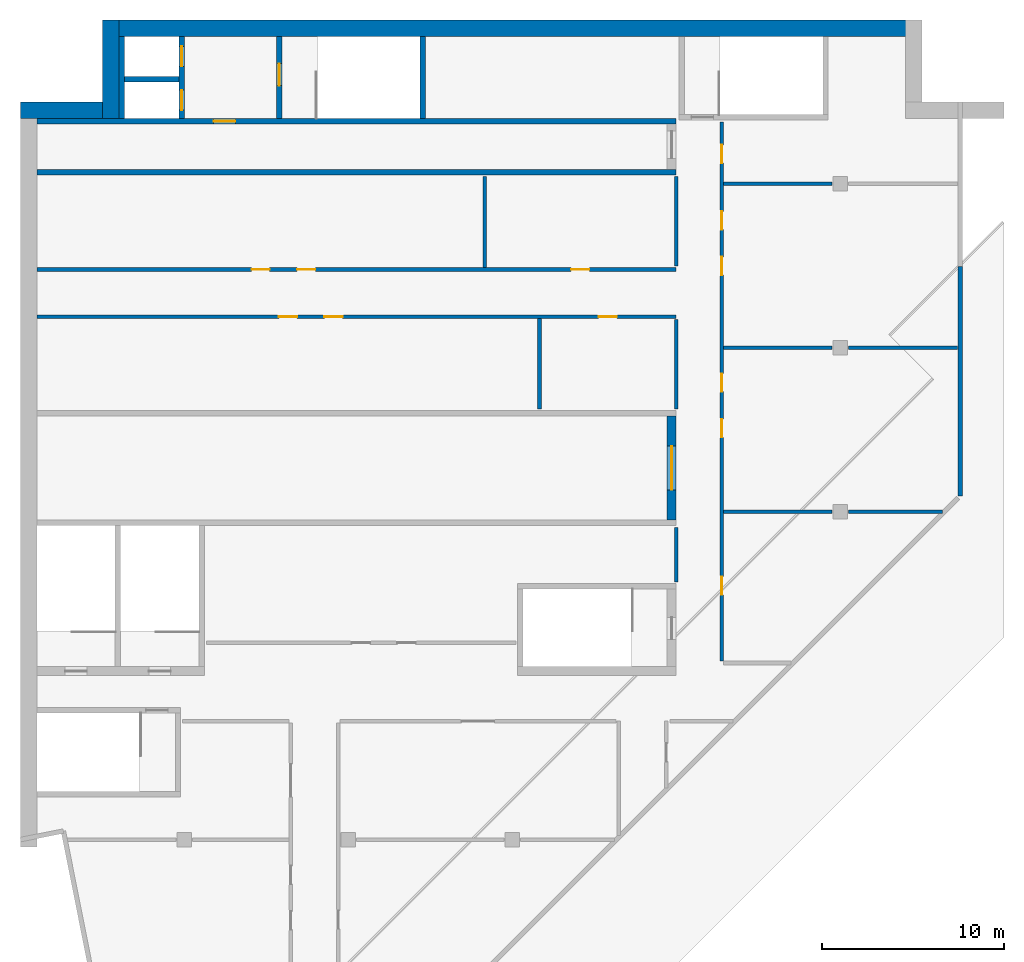
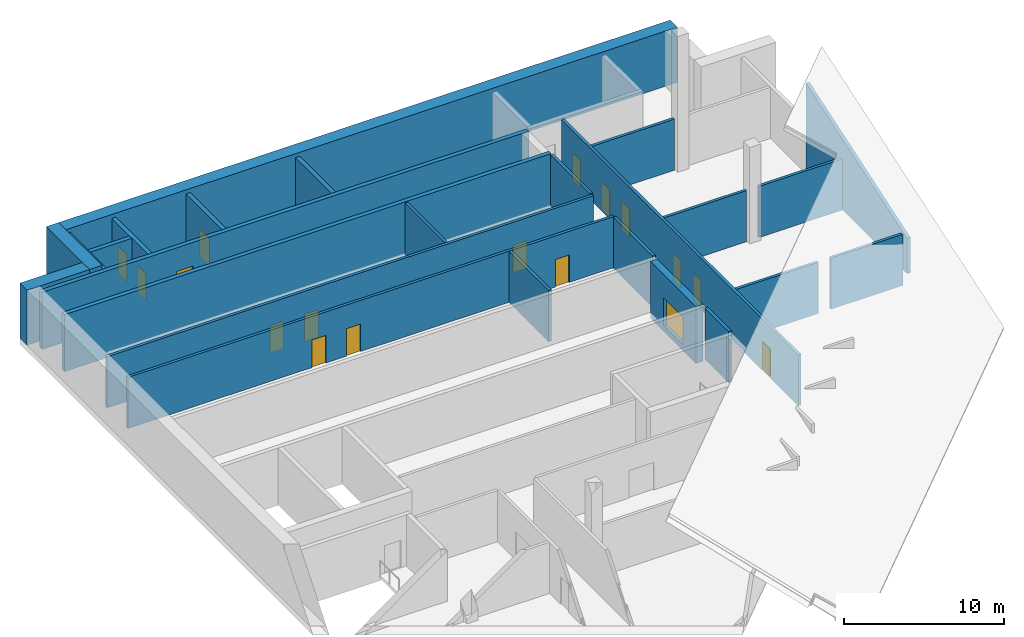
# One storey, part 3 of 5: 25 walls, 17 doors, 17 openings.
"""IFC4 building model written with IfcOpenShell, lengths in metres."""

from ifc_helpers import new_model, si_unit, direction, frame, frame_2d, origin, place, context, subcontext, project, spatial, polyline, rectangle, outline, extrude, material, layer, layer_set, type_object, element, fill, save


model = new_model("IFC4")

# Units and contexts
model_context = context("Model", 3, precision=1e-05, world=origin(), true_north=direction((0.0, 1.0)))
body_context = subcontext(model_context, "Body", "Model", "MODEL_VIEW")
ifc_project = project(units=[si_unit("LENGTHUNIT", "METRE"), si_unit("AREAUNIT", "SQUARE_METRE"), si_unit("VOLUMEUNIT", "CUBIC_METRE"), si_unit("PLANEANGLEUNIT", "RADIAN"), si_unit("MASSUNIT", "GRAM", prefix="KILO")], contexts=[model_context])

# Site, building, storey
site_placement = place(None, origin())
site = spatial("IfcSite", under=ifc_project, at=site_placement, CompositionType="ELEMENT")
building_placement = place(site_placement, origin())
building = spatial("IfcBuilding", under=site, at=building_placement, Name="Hunhe Ridgeline Campus", CompositionType="ELEMENT")
storey_placement = place(building_placement, frame((0.0, 0.0, 307.199951171875)))
storey = spatial("IfcBuildingStorey", under=building, at=storey_placement, Name="L79 Crown", CompositionType="ELEMENT", Elevation=307.199951171875)

# Wall, opening, door
ifc_material_1 = material(Name="Concrete C50", Category="concrete")
ifc_layer_1 = layer(ifc_material_1, 0.5)
ifc_layer_set_1 = layer_set([ifc_layer_1], Name="Core wall 500 reinforced concrete C50")
wall_type_1 = type_object("IfcWallType", Name="Core wall 500 reinforced concrete C50", PredefinedType="SOLIDWALL", material=ifc_layer_set_1)
wall_1_placement = place(storey_placement, frame((35.75, 71.550048828125, -0.449951171875), z_axis=(0.0, 0.0, 1.0), x_axis=(0.0, 1.0, 0.0)))
wall_1 = element("IfcWall", 1, at=wall_1_placement, inside=storey, type_object=wall_type_1, Name="L79 Crown core wall 21", PredefinedType="SOLIDWALL", context=body_context, shape_type="SweptSolid", body=[
    extrude(rectangle(XDim=5.699951171875, YDim=0.5, at=frame_2d((2.85009765625, 0.0))), origin(), (0.0, 0.0, 1.0), 4.35009765625),
])
opening_1_placement = place(wall_1_placement, frame((1.64990234375, 0.0, 0.449951171875)))
opening_1 = element("IfcOpeningElement", 2, at=opening_1_placement, cuts=wall_1, Name="Opening CD4", PredefinedType="OPENING", context=body_context, shape_type="SweptSolid", body=[
    extrude(rectangle(XDim=2.39990234375, YDim=2.10009765625, at=frame_2d((1.199951171875, 1.050048828125))), frame((0.0, 0.25, 0.0), z_axis=(0.0, -1.0, 0.0), x_axis=(1.0, 0.0, 0.0)), (0.0, 0.0, 1.0), 0.5),
])
ifc_material_2 = material(Name="Anodised aluminium and glass", Category="aluminium")
door_type_1 = type_object("IfcDoorType", Name="Glazed double door 2400x2100", OperationType="DOUBLE_DOOR_SINGLE_SWING", PredefinedType="DOOR", material=ifc_material_2)
door_1_placement = place(opening_1_placement, frame((2.39990234375, 0.0, 0.0), z_axis=(0.0, 0.0, 1.0), x_axis=(-1.0, 0.0, 0.0)))
door_1 = element("IfcDoor", 3, at=door_1_placement, inside=storey, type_object=door_type_1, Name="L79 Crown door HALL-FLOOR", OperationType="DOUBLE_DOOR_SINGLE_SWING", OverallHeight=2.10009765625, OverallWidth=2.39990234375, PredefinedType="DOOR", context=body_context, shape_type="SweptSolid", body=[
    extrude(rectangle(XDim=2.39990234375, YDim=2.10009765625, at=frame_2d((1.199951171875, 1.050048828125))), frame((0.0, 0.02490234375, 0.0), z_axis=(0.0, -1.0, 0.0), x_axis=(1.0, 0.0, 0.0)), (0.0, 0.0, 1.0), 0.050048828125),
])
fill(opening_1, door_1)

# Walls
ifc_material_3 = material(Name="Gypsum board partition")
ifc_layer_2 = layer(ifc_material_3, 0.199951171875)
ifc_layer_set_2 = layer_set([ifc_layer_2], Name="Corridor partition 200 gypsum board on steel studs")
wall_type_2 = type_object("IfcWallType", Name="Corridor partition 200 gypsum board on steel studs", PredefinedType="PARTITIONING", material=ifc_layer_set_2)
wall_2_placement = place(storey_placement, frame((38.60009765625, 72.0, 0.0), z_axis=(0.0, 0.0, 1.0), x_axis=(1.0, 0.0, 0.0)))
element("IfcWall", 4, at=wall_2_placement, inside=storey, type_object=wall_type_2, Name="F-L79 Crown-wall-013", PredefinedType="PARTITIONING", context=body_context, shape_type="SweptSolid", body=[
    extrude(rectangle(XDim=5.949951171875, YDim=0.199951171875, at=frame_2d((2.97509765625, 0.0))), origin(), (0.0, 0.0, 1.0), 3.900146484375),
])
wall_3_placement = place(storey_placement, frame((45.449951171875, 72.0, 0.0), z_axis=(0.0, 0.0, 1.0), x_axis=(1.0, 0.0, 0.0)))
element("IfcWall", 5, at=wall_3_placement, inside=storey, type_object=wall_type_2, Name="F-L79 Crown-wall-014", PredefinedType="PARTITIONING", context=body_context, shape_type="SweptSolid", body=[
    extrude(rectangle(XDim=5.166015625, YDim=0.199951171875, at=frame_2d((2.5830078125, 0.0))), origin(), (0.0, 0.0, 1.0), 3.900146484375),
])
wall_4_placement = place(storey_placement, frame((38.60009765625, 81.0, 0.0), z_axis=(0.0, 0.0, 1.0), x_axis=(1.0, 0.0, 0.0)))
element("IfcWall", 6, at=wall_4_placement, inside=storey, type_object=wall_type_2, Name="F-L79 Crown-wall-015", PredefinedType="PARTITIONING", context=body_context, shape_type="SweptSolid", body=[
    extrude(rectangle(XDim=5.949951171875, YDim=0.199951171875, at=frame_2d((2.97509765625, 0.0))), origin(), (0.0, 0.0, 1.0), 3.900146484375),
])
wall_5_placement = place(storey_placement, frame((45.449951171875, 81.0, 0.0), z_axis=(0.0, 0.0, 1.0), x_axis=(1.0, 0.0, 0.0)))
element("IfcWall", 7, at=wall_5_placement, inside=storey, type_object=wall_type_2, Name="F-L79 Crown-wall-016", PredefinedType="PARTITIONING", context=body_context, shape_type="SweptSolid", body=[
    extrude(rectangle(XDim=6.004150390625, YDim=0.199951171875, at=frame_2d((3.001953125, 0.0))), origin(), (0.0, 0.0, 1.0), 3.900146484375),
])

# Wall, openings, doors
wall_6_placement = place(storey_placement, frame((36.0, 82.699951171875, 0.0), z_axis=(0.0, 0.0, 1.0), x_axis=(-1.0, 0.0, 0.0)))
wall_6 = element("IfcWall", 8, at=wall_6_placement, inside=storey, type_object=wall_type_2, Name="F-L79 Crown-wall-017", PredefinedType="PARTITIONING", context=body_context, shape_type="SweptSolid", body=[
    extrude(rectangle(XDim=35.080078125, YDim=0.199951171875, at=frame_2d((17.5400390625, 0.0))), origin(), (0.0, 0.0, 1.0), 3.900146484375),
])
opening_2_placement = place(wall_6_placement, frame((20.808349609375, 0.0, 0.0)))
opening_2 = element("IfcOpeningElement", 9, at=opening_2_placement, cuts=wall_6, Name="Opening RD1-014", PredefinedType="OPENING", context=body_context, shape_type="SweptSolid", body=[
    extrude(rectangle(XDim=1.0, YDim=2.10009765625, at=frame_2d((0.5, 1.050048828125))), frame((0.0, 0.10009765625, 0.0), z_axis=(0.0, -1.0, 0.0), x_axis=(1.0, 0.0, 0.0)), (0.0, 0.0, 1.0), 0.199951171875),
])
opening_3_placement = place(wall_6_placement, frame((18.308349609375, 0.0, 0.0)))
opening_3 = element("IfcOpeningElement", 10, at=opening_3_placement, cuts=wall_6, Name="Opening RD1-015", PredefinedType="OPENING", context=body_context, shape_type="SweptSolid", body=[
    extrude(rectangle(XDim=1.0, YDim=2.10009765625, at=frame_2d((0.5, 1.050048828125))), frame((0.0, 0.10009765625, 0.0), z_axis=(0.0, -1.0, 0.0), x_axis=(1.0, 0.0, 0.0)), (0.0, 0.0, 1.0), 0.199951171875),
])
opening_4_placement = place(wall_6_placement, frame((3.26025390625, 0.0, 0.0)))
opening_4 = element("IfcOpeningElement", 11, at=opening_4_placement, cuts=wall_6, Name="Opening RD1-016", PredefinedType="OPENING", context=body_context, shape_type="SweptSolid", body=[
    extrude(rectangle(XDim=1.0, YDim=2.10009765625, at=frame_2d((0.5, 1.050048828125))), frame((0.0, 0.10009765625, 0.0), z_axis=(0.0, -1.0, 0.0), x_axis=(1.0, 0.0, 0.0)), (0.0, 0.0, 1.0), 0.199951171875),
])
ifc_material_4 = material(Name="Timber door leaf", Category="wood")
door_type_2 = type_object("IfcDoorType", Name="Single fire door 1000x2100 timber FD60", OperationType="NOTDEFINED", PredefinedType="DOOR", material=ifc_material_4)
door_2_placement = place(opening_2_placement, frame((1.0, 0.0, 0.0), z_axis=(0.0, 0.0, 1.0), x_axis=(-1.0, 0.0, 0.0)))
door_2 = element("IfcDoor", 12, at=door_2_placement, inside=storey, type_object=door_type_2, Name="F-L79 Crown-door-014", OperationType="SINGLE_SWING_RIGHT", OverallHeight=2.10009765625, OverallWidth=1.0, PredefinedType="DOOR", context=body_context, shape_type="SweptSolid", body=[
    extrude(rectangle(XDim=1.0, YDim=2.10009765625, at=frame_2d((0.5, 1.050048828125))), frame((0.0, 0.02490234375, 0.0), z_axis=(0.0, -1.0, 0.0), x_axis=(1.0, 0.0, 0.0)), (0.0, 0.0, 1.0), 0.050048828125),
])
fill(opening_2, door_2)
door_3_placement = place(opening_3_placement, frame((1.0, 0.0, 0.0), z_axis=(0.0, 0.0, 1.0), x_axis=(-1.0, 0.0, 0.0)))
door_3 = element("IfcDoor", 13, at=door_3_placement, inside=storey, type_object=door_type_2, Name="F-L79 Crown-door-015", OperationType="SINGLE_SWING_RIGHT", OverallHeight=2.10009765625, OverallWidth=1.0, PredefinedType="DOOR", context=body_context, shape_type="SweptSolid", body=[
    extrude(rectangle(XDim=1.0, YDim=2.10009765625, at=frame_2d((0.5, 1.050048828125))), frame((0.0, 0.02490234375, 0.0), z_axis=(0.0, -1.0, 0.0), x_axis=(1.0, 0.0, 0.0)), (0.0, 0.0, 1.0), 0.050048828125),
])
fill(opening_3, door_3)
door_4_placement = place(opening_4_placement, origin())
door_4 = element("IfcDoor", 14, at=door_4_placement, inside=storey, type_object=door_type_2, Name="F-L79 Crown-door-016", OperationType="SINGLE_SWING_LEFT", OverallHeight=2.10009765625, OverallWidth=1.0, PredefinedType="DOOR", context=body_context, shape_type="SweptSolid", body=[
    extrude(rectangle(XDim=1.0, YDim=2.10009765625, at=frame_2d((0.5, 1.050048828125))), frame((0.0, 0.02490234375, 0.0), z_axis=(0.0, -1.0, 0.0), x_axis=(1.0, 0.0, 0.0)), (0.0, 0.0, 1.0), 0.050048828125),
])
fill(opening_4, door_4)

wall_7_placement = place(storey_placement, frame((0.919921875, 85.300048828125, 0.0), z_axis=(0.0, 0.0, 1.0), x_axis=(1.0, 0.0, 0.0)))
wall_7 = element("IfcWall", 15, at=wall_7_placement, inside=storey, type_object=wall_type_2, Name="F-L79 Crown-wall-018", PredefinedType="PARTITIONING", context=body_context, shape_type="SweptSolid", body=[
    extrude(rectangle(XDim=35.080078125, YDim=0.199951171875, at=frame_2d((17.5400390625, 0.0))), origin(), (0.0, 0.0, 1.0), 3.900146484375),
])
opening_5_placement = place(wall_7_placement, frame((11.767578125, 0.0, 0.0)))
opening_5 = element("IfcOpeningElement", 16, at=opening_5_placement, cuts=wall_7, Name="Opening RD1-017", PredefinedType="OPENING", context=body_context, shape_type="SweptSolid", body=[
    extrude(rectangle(XDim=1.0, YDim=2.10009765625, at=frame_2d((0.5, 1.050048828125))), frame((0.0, 0.10009765625, 0.0), z_axis=(0.0, -1.0, 0.0), x_axis=(1.0, 0.0, 0.0)), (0.0, 0.0, 1.0), 0.199951171875),
])
opening_6_placement = place(wall_7_placement, frame((14.267578125, 0.0, 0.0)))
opening_6 = element("IfcOpeningElement", 17, at=opening_6_placement, cuts=wall_7, Name="Opening RD1-018", PredefinedType="OPENING", context=body_context, shape_type="SweptSolid", body=[
    extrude(rectangle(XDim=1.0, YDim=2.10009765625, at=frame_2d((0.5, 1.050048828125))), frame((0.0, 0.10009765625, 0.0), z_axis=(0.0, -1.0, 0.0), x_axis=(1.0, 0.0, 0.0)), (0.0, 0.0, 1.0), 0.199951171875),
])
opening_7_placement = place(wall_7_placement, frame((29.315673828125, 0.0, 0.0)))
opening_7 = element("IfcOpeningElement", 18, at=opening_7_placement, cuts=wall_7, Name="Opening RD1-019", PredefinedType="OPENING", context=body_context, shape_type="SweptSolid", body=[
    extrude(rectangle(XDim=1.0, YDim=2.10009765625, at=frame_2d((0.5, 1.050048828125))), frame((0.0, 0.10009765625, 0.0), z_axis=(0.0, -1.0, 0.0), x_axis=(1.0, 0.0, 0.0)), (0.0, 0.0, 1.0), 0.199951171875),
])
door_5_placement = place(opening_5_placement, frame((1.0, 0.0, 0.0), z_axis=(0.0, 0.0, 1.0), x_axis=(-1.0, 0.0, 0.0)))
door_5 = element("IfcDoor", 19, at=door_5_placement, inside=storey, type_object=door_type_2, Name="F-L79 Crown-door-017", OperationType="SINGLE_SWING_LEFT", OverallHeight=2.10009765625, OverallWidth=1.0, PredefinedType="DOOR", context=body_context, shape_type="SweptSolid", body=[
    extrude(rectangle(XDim=1.0, YDim=2.10009765625, at=frame_2d((0.5, 1.050048828125))), frame((0.0, 0.02490234375, 0.0), z_axis=(0.0, -1.0, 0.0), x_axis=(1.0, 0.0, 0.0)), (0.0, 0.0, 1.0), 0.050048828125),
])
fill(opening_5, door_5)
door_6_placement = place(opening_6_placement, frame((1.0, 0.0, 0.0), z_axis=(0.0, 0.0, 1.0), x_axis=(-1.0, 0.0, 0.0)))
door_6 = element("IfcDoor", 20, at=door_6_placement, inside=storey, type_object=door_type_2, Name="F-L79 Crown-door-018", OperationType="SINGLE_SWING_LEFT", OverallHeight=2.10009765625, OverallWidth=1.0, PredefinedType="DOOR", context=body_context, shape_type="SweptSolid", body=[
    extrude(rectangle(XDim=1.0, YDim=2.10009765625, at=frame_2d((0.5, 1.050048828125))), frame((0.0, 0.02490234375, 0.0), z_axis=(0.0, -1.0, 0.0), x_axis=(1.0, 0.0, 0.0)), (0.0, 0.0, 1.0), 0.050048828125),
])
fill(opening_6, door_6)
door_7_placement = place(opening_7_placement, frame((1.0, 0.0, 0.0), z_axis=(0.0, 0.0, 1.0), x_axis=(-1.0, 0.0, 0.0)))
door_7 = element("IfcDoor", 21, at=door_7_placement, inside=storey, type_object=door_type_2, Name="F-L79 Crown-door-019", OperationType="SINGLE_SWING_RIGHT", OverallHeight=2.10009765625, OverallWidth=1.0, PredefinedType="DOOR", context=body_context, shape_type="SweptSolid", body=[
    extrude(rectangle(XDim=1.0, YDim=2.10009765625, at=frame_2d((0.5, 1.050048828125))), frame((0.0, 0.02490234375, 0.0), z_axis=(0.0, -1.0, 0.0), x_axis=(1.0, 0.0, 0.0)), (0.0, 0.0, 1.0), 0.050048828125),
])
fill(opening_7, door_7)

# Walls
wall_8_placement = place(storey_placement, frame((38.60009765625, 90.0, 0.0), z_axis=(0.0, 0.0, 1.0), x_axis=(1.0, 0.0, 0.0)))
element("IfcWall", 22, at=wall_8_placement, inside=storey, type_object=wall_type_2, Name="F-L79 Crown-wall-019", PredefinedType="PARTITIONING", context=body_context, shape_type="SweptSolid", body=[
    extrude(rectangle(XDim=5.949951171875, YDim=0.199951171875, at=frame_2d((2.97509765625, 0.0))), origin(), (0.0, 0.0, 1.0), 3.900146484375),
])
wall_9_placement = place(storey_placement, frame((25.5, 90.39599609375, 0.0), z_axis=(0.0, 0.0, 1.0), x_axis=(0.0, -1.0, 0.0)))
element("IfcWall", 23, at=wall_9_placement, inside=storey, type_object=wall_type_2, Name="F-L79 Crown-wall-023", PredefinedType="PARTITIONING", context=body_context, shape_type="SweptSolid", body=[
    extrude(rectangle(XDim=4.99609375, YDim=0.199951171875, at=frame_2d((2.498046875, 0.0))), origin(), (0.0, 0.0, 1.0), 3.900146484375),
])
wall_10_placement = place(storey_placement, frame((28.5, 82.60009765625, 0.0), z_axis=(0.0, 0.0, 1.0), x_axis=(0.0, -1.0, 0.0)))
element("IfcWall", 24, at=wall_10_placement, inside=storey, type_object=wall_type_2, Name="F-L79 Crown-wall-024", PredefinedType="PARTITIONING", context=body_context, shape_type="SweptSolid", body=[
    extrude(rectangle(XDim=4.946044921875, YDim=0.199951171875, at=frame_2d((2.47314453125, 0.0))), origin(), (0.0, 0.0, 1.0), 3.900146484375),
])
wall_11_placement = place(storey_placement, frame((36.0, 68.154052734375, 0.0), z_axis=(0.0, 0.0, 1.0), x_axis=(0.0, 1.0, 0.0)))
element("IfcWall", 25, at=wall_11_placement, inside=storey, type_object=wall_type_2, Name="F-L79 Crown-wall-027", PredefinedType="PARTITIONING", context=body_context, shape_type="SweptSolid", body=[
    extrude(rectangle(XDim=2.991943359375, YDim=0.199951171875, at=frame_2d((1.49609375, 0.0))), origin(), (0.0, 0.0, 1.0), 3.900146484375),
])
wall_12_placement = place(storey_placement, frame((36.0, 77.654052734375, 0.0), z_axis=(0.0, 0.0, 1.0), x_axis=(0.0, 1.0, 0.0)))
element("IfcWall", 26, at=wall_12_placement, inside=storey, type_object=wall_type_2, Name="F-L79 Crown-wall-028", PredefinedType="PARTITIONING", context=body_context, shape_type="SweptSolid", body=[
    extrude(rectangle(XDim=4.900634765625, YDim=0.199951171875, at=frame_2d((2.4501953125, 0.0))), origin(), (0.0, 0.0, 1.0), 3.900146484375),
])
wall_13_placement = place(storey_placement, frame((36.0, 85.4951171875, 0.0), z_axis=(0.0, 0.0, 1.0), x_axis=(0.0, 1.0, 0.0)))
element("IfcWall", 27, at=wall_13_placement, inside=storey, type_object=wall_type_2, Name="F-L79 Crown-wall-029", PredefinedType="PARTITIONING", context=body_context, shape_type="SweptSolid", body=[
    extrude(rectangle(XDim=4.90087890625, YDim=0.199951171875, at=frame_2d((2.450439453125, 0.0))), origin(), (0.0, 0.0, 1.0), 3.900146484375),
])

# Wall, openings, doors
wall_14_placement = place(storey_placement, frame((38.5, 93.39599609375, 0.0), z_axis=(0.0, 0.0, 1.0), x_axis=(0.0, -1.0, 0.0)))
wall_14 = element("IfcWall", 28, at=wall_14_placement, inside=storey, type_object=wall_type_2, Name="F-L79 Crown-wall-030", PredefinedType="PARTITIONING", context=body_context, shape_type="SweptSolid", body=[
    extrude(rectangle(XDim=29.595947265625, YDim=0.199951171875, at=frame_2d((14.7978515625, 0.0))), origin(), (0.0, 0.0, 1.0), 3.900146484375),
])
opening_8_placement = place(wall_14_placement, frame((24.95751953125, 0.0, 0.0)))
opening_8 = element("IfcOpeningElement", 29, at=opening_8_placement, cuts=wall_14, Name="Opening RD1-011", PredefinedType="OPENING", context=body_context, shape_type="SweptSolid", body=[
    extrude(rectangle(XDim=1.0, YDim=2.10009765625, at=frame_2d((0.5, 1.050048828125))), frame((0.0, 0.10009765625, 0.0), z_axis=(0.0, -1.0, 0.0), x_axis=(1.0, 0.0, 0.0)), (0.0, 0.0, 1.0), 0.199951171875),
])
opening_9_placement = place(wall_14_placement, frame((16.304443359375, 0.0, 0.0)))
opening_9 = element("IfcOpeningElement", 30, at=opening_9_placement, cuts=wall_14, Name="Opening RD1-012", PredefinedType="OPENING", context=body_context, shape_type="SweptSolid", body=[
    extrude(rectangle(XDim=1.0, YDim=2.10009765625, at=frame_2d((0.5, 1.050048828125))), frame((0.0, 0.10009765625, 0.0), z_axis=(0.0, -1.0, 0.0), x_axis=(1.0, 0.0, 0.0)), (0.0, 0.0, 1.0), 0.199951171875),
])
opening_10_placement = place(wall_14_placement, frame((13.804443359375, 0.0, 0.0)))
opening_10 = element("IfcOpeningElement", 31, at=opening_10_placement, cuts=wall_14, Name="Opening RD1-013", PredefinedType="OPENING", context=body_context, shape_type="SweptSolid", body=[
    extrude(rectangle(XDim=1.0, YDim=2.10009765625, at=frame_2d((0.5, 1.050048828125))), frame((0.0, 0.10009765625, 0.0), z_axis=(0.0, -1.0, 0.0), x_axis=(1.0, 0.0, 0.0)), (0.0, 0.0, 1.0), 0.199951171875),
])
opening_11_placement = place(wall_14_placement, frame((7.400634765625, 0.0, 0.0)))
opening_11 = element("IfcOpeningElement", 32, at=opening_11_placement, cuts=wall_14, Name="Opening RD1-020", PredefinedType="OPENING", context=body_context, shape_type="SweptSolid", body=[
    extrude(rectangle(XDim=1.0, YDim=2.10009765625, at=frame_2d((0.5, 1.050048828125))), frame((0.0, 0.10009765625, 0.0), z_axis=(0.0, -1.0, 0.0), x_axis=(1.0, 0.0, 0.0)), (0.0, 0.0, 1.0), 0.199951171875),
])
opening_12_placement = place(wall_14_placement, frame((4.900634765625, 0.0, 0.0)))
opening_12 = element("IfcOpeningElement", 33, at=opening_12_placement, cuts=wall_14, Name="Opening RD1-021", PredefinedType="OPENING", context=body_context, shape_type="SweptSolid", body=[
    extrude(rectangle(XDim=1.0, YDim=2.10009765625, at=frame_2d((0.5, 1.050048828125))), frame((0.0, 0.10009765625, 0.0), z_axis=(0.0, -1.0, 0.0), x_axis=(1.0, 0.0, 0.0)), (0.0, 0.0, 1.0), 0.199951171875),
])
opening_13_placement = place(wall_14_placement, frame((1.255615234375, 0.0, 0.0)))
opening_13 = element("IfcOpeningElement", 34, at=opening_13_placement, cuts=wall_14, Name="Opening RD1-022", PredefinedType="OPENING", context=body_context, shape_type="SweptSolid", body=[
    extrude(rectangle(XDim=1.0, YDim=2.10009765625, at=frame_2d((0.5, 1.050048828125))), frame((0.0, 0.10009765625, 0.0), z_axis=(0.0, -1.0, 0.0), x_axis=(1.0, 0.0, 0.0)), (0.0, 0.0, 1.0), 0.199951171875),
])
door_8_placement = place(opening_8_placement, frame((1.0, 0.0, 0.0), z_axis=(0.0, 0.0, 1.0), x_axis=(-1.0, 0.0, 0.0)))
door_8 = element("IfcDoor", 35, at=door_8_placement, inside=storey, type_object=door_type_2, Name="F-L79 Crown-door-011", OperationType="SINGLE_SWING_LEFT", OverallHeight=2.10009765625, OverallWidth=1.0, PredefinedType="DOOR", context=body_context, shape_type="SweptSolid", body=[
    extrude(rectangle(XDim=1.0, YDim=2.10009765625, at=frame_2d((0.5, 1.050048828125))), frame((0.0, 0.02490234375, 0.0), z_axis=(0.0, -1.0, 0.0), x_axis=(1.0, 0.0, 0.0)), (0.0, 0.0, 1.0), 0.050048828125),
])
fill(opening_8, door_8)
door_9_placement = place(opening_9_placement, frame((1.0, 0.0, 0.0), z_axis=(0.0, 0.0, 1.0), x_axis=(-1.0, 0.0, 0.0)))
door_9 = element("IfcDoor", 36, at=door_9_placement, inside=storey, type_object=door_type_2, Name="F-L79 Crown-door-012", OperationType="SINGLE_SWING_RIGHT", OverallHeight=2.10009765625, OverallWidth=1.0, PredefinedType="DOOR", context=body_context, shape_type="SweptSolid", body=[
    extrude(rectangle(XDim=1.0, YDim=2.10009765625, at=frame_2d((0.5, 1.050048828125))), frame((0.0, 0.02490234375, 0.0), z_axis=(0.0, -1.0, 0.0), x_axis=(1.0, 0.0, 0.0)), (0.0, 0.0, 1.0), 0.050048828125),
])
fill(opening_9, door_9)
door_10_placement = place(opening_10_placement, frame((1.0, 0.0, 0.0), z_axis=(0.0, 0.0, 1.0), x_axis=(-1.0, 0.0, 0.0)))
door_10 = element("IfcDoor", 37, at=door_10_placement, inside=storey, type_object=door_type_2, Name="F-L79 Crown-door-013", OperationType="SINGLE_SWING_RIGHT", OverallHeight=2.10009765625, OverallWidth=1.0, PredefinedType="DOOR", context=body_context, shape_type="SweptSolid", body=[
    extrude(rectangle(XDim=1.0, YDim=2.10009765625, at=frame_2d((0.5, 1.050048828125))), frame((0.0, 0.02490234375, 0.0), z_axis=(0.0, -1.0, 0.0), x_axis=(1.0, 0.0, 0.0)), (0.0, 0.0, 1.0), 0.050048828125),
])
fill(opening_10, door_10)
door_11_placement = place(opening_11_placement, frame((1.0, 0.0, 0.0), z_axis=(0.0, 0.0, 1.0), x_axis=(-1.0, 0.0, 0.0)))
door_11 = element("IfcDoor", 38, at=door_11_placement, inside=storey, type_object=door_type_2, Name="F-L79 Crown-door-020", OperationType="SINGLE_SWING_RIGHT", OverallHeight=2.10009765625, OverallWidth=1.0, PredefinedType="DOOR", context=body_context, shape_type="SweptSolid", body=[
    extrude(rectangle(XDim=1.0, YDim=2.10009765625, at=frame_2d((0.5, 1.050048828125))), frame((0.0, 0.02490234375, 0.0), z_axis=(0.0, -1.0, 0.0), x_axis=(1.0, 0.0, 0.0)), (0.0, 0.0, 1.0), 0.050048828125),
])
fill(opening_11, door_11)
door_12_placement = place(opening_12_placement, frame((1.0, 0.0, 0.0), z_axis=(0.0, 0.0, 1.0), x_axis=(-1.0, 0.0, 0.0)))
door_12 = element("IfcDoor", 39, at=door_12_placement, inside=storey, type_object=door_type_2, Name="F-L79 Crown-door-021", OperationType="SINGLE_SWING_RIGHT", OverallHeight=2.10009765625, OverallWidth=1.0, PredefinedType="DOOR", context=body_context, shape_type="SweptSolid", body=[
    extrude(rectangle(XDim=1.0, YDim=2.10009765625, at=frame_2d((0.5, 1.050048828125))), frame((0.0, 0.02490234375, 0.0), z_axis=(0.0, -1.0, 0.0), x_axis=(1.0, 0.0, 0.0)), (0.0, 0.0, 1.0), 0.050048828125),
])
fill(opening_12, door_12)
door_13_placement = place(opening_13_placement, frame((1.0, 0.0, 0.0), z_axis=(0.0, 0.0, 1.0), x_axis=(-1.0, 0.0, 0.0)))
door_13 = element("IfcDoor", 40, at=door_13_placement, inside=storey, type_object=door_type_2, Name="F-L79 Crown-door-022", OperationType="SINGLE_SWING_RIGHT", OverallHeight=2.10009765625, OverallWidth=1.0, PredefinedType="DOOR", context=body_context, shape_type="SweptSolid", body=[
    extrude(rectangle(XDim=1.0, YDim=2.10009765625, at=frame_2d((0.5, 1.050048828125))), frame((0.0, 0.02490234375, 0.0), z_axis=(0.0, -1.0, 0.0), x_axis=(1.0, 0.0, 0.0)), (0.0, 0.0, 1.0), 0.050048828125),
])
fill(opening_13, door_13)

# Walls
ifc_layer_3 = layer(ifc_material_1, 0.25)
ifc_layer_set_3 = layer_set([ifc_layer_3], Name="Crown cladding wall 250 Concrete C50")
wall_type_3 = type_object("IfcWallType", Name="Crown cladding wall 250 Concrete C50", PredefinedType="SOLIDWALL", material=ifc_layer_set_3)
wall_15_placement = place(storey_placement, frame((51.59912109375, 72.878173828125, 0.0), z_axis=(0.0, 0.0, 1.0), x_axis=(0.0, 1.0, 0.0)))
element("IfcWall", 41, at=wall_15_placement, inside=storey, type_object=wall_type_3, Name="Crown cladding wall", PredefinedType="SOLIDWALL", context=body_context, shape_type="SweptSolid", body=[
    extrude(outline(polyline([(0.0, 0.0), (12.599365234375, 0.0), (12.599365234375, 6.900146484375), (0.0, 2.699951171875), (0.0, 0.0)])), frame((0.0, 0.125, 0.0), z_axis=(0.0, -1.0, 0.0), x_axis=(1.0, 0.0, 0.0)), (0.0, 0.0, 1.0), 0.25),
])
ifc_layer_4 = layer(ifc_material_1, 0.300048828125)
ifc_layer_set_4 = layer_set([ifc_layer_4], Name="Lobby wall 300 reinforced concrete C50")
wall_type_4 = type_object("IfcWallType", Name="Lobby wall 300 reinforced concrete C50", PredefinedType="SOLIDWALL", material=ifc_layer_set_4)
wall_16_placement = place(storey_placement, frame((0.89990234375, 90.64990234375, -0.449951171875), z_axis=(0.0, 0.0, 1.0), x_axis=(1.0, 0.0, 0.0)))
element("IfcWall", 42, at=wall_16_placement, inside=storey, type_object=wall_type_4, Name="L79 Crown core wall 8", PredefinedType="SOLIDWALL", context=body_context, shape_type="SweptSolid", body=[
    extrude(rectangle(XDim=35.10009765625, YDim=0.300048828125, at=frame_2d((17.550048828125, 0.0))), origin(), (0.0, 0.0, 1.0), 4.35009765625),
])

# Wall, opening, door
ifc_layer_5 = layer(ifc_material_1, 0.300048828125)
ifc_layer_set_5 = layer_set([ifc_layer_5], Name="Shaft wall 300 reinforced concrete C50")
wall_type_5 = type_object("IfcWallType", Name="Shaft wall 300 reinforced concrete C50", PredefinedType="SOLIDWALL", material=ifc_layer_set_5)
wall_17_placement = place(storey_placement, frame((0.89990234375, 93.449951171875, -0.449951171875), z_axis=(0.0, 0.0, 1.0), x_axis=(1.0, 0.0, 0.0)))
wall_17 = element("IfcWall", 43, at=wall_17_placement, inside=storey, type_object=wall_type_5, Name="L79 Crown core wall 9", PredefinedType="SOLIDWALL", context=body_context, shape_type="SweptSolid", body=[
    extrude(rectangle(XDim=35.10009765625, YDim=0.300048828125, at=frame_2d((17.550048828125, 0.0))), origin(), (0.0, 0.0, 1.0), 4.35009765625),
])
opening_14_placement = place(wall_17_placement, frame((9.699951171875, 0.0, 0.449951171875)))
opening_14 = element("IfcOpeningElement", 44, at=opening_14_placement, cuts=wall_17, Name="Opening CD3", PredefinedType="OPENING", context=body_context, shape_type="SweptSolid", body=[
    extrude(rectangle(XDim=1.199951171875, YDim=2.10009765625, at=frame_2d((0.60009765625, 1.050048828125))), frame((0.0, 0.14990234375, 0.0), z_axis=(0.0, -1.0, 0.0), x_axis=(1.0, 0.0, 0.0)), (0.0, 0.0, 1.0), 0.300048828125),
])
ifc_material_5 = material(Name="Hollow metal fire door leaf")
door_type_3 = type_object("IfcDoorType", Name="Lobby door 1200x2100 FD60", OperationType="SINGLE_SWING_LEFT", PredefinedType="DOOR", material=ifc_material_5)
door_14_placement = place(opening_14_placement, frame((1.199951171875, 0.0, 0.0), z_axis=(0.0, 0.0, 1.0), x_axis=(-1.0, 0.0, 0.0)))
door_14 = element("IfcDoor", 45, at=door_14_placement, inside=storey, type_object=door_type_3, Name="L79 Crown door FF-C1", OperationType="SINGLE_SWING_LEFT", OverallHeight=2.10009765625, OverallWidth=1.199951171875, PredefinedType="DOOR", context=body_context, shape_type="SweptSolid", body=[
    extrude(rectangle(XDim=1.199951171875, YDim=2.10009765625, at=frame_2d((0.60009765625, 1.050048828125))), frame((0.0, 0.02490234375, 0.0), z_axis=(0.0, -1.0, 0.0), x_axis=(1.0, 0.0, 0.0)), (0.0, 0.0, 1.0), 0.050048828125),
])
fill(opening_14, door_14)

# Walls
wall_18_placement = place(storey_placement, frame((5.699951171875, 95.75, -0.449951171875), z_axis=(0.0, 0.0, 1.0), x_axis=(1.0, 0.0, 0.0)))
element("IfcWall", 46, at=wall_18_placement, inside=storey, type_object=wall_type_5, Name="L79 Crown core wall 11", PredefinedType="SOLIDWALL", context=body_context, shape_type="SweptSolid", body=[
    extrude(rectangle(XDim=3.0, YDim=0.300048828125, at=frame_2d((1.5, 0.0))), origin(), (0.0, 0.0, 1.0), 4.35009765625),
])
wall_19_placement = place(storey_placement, frame((5.550048828125, 93.60009765625, -0.449951171875), z_axis=(0.0, 0.0, 1.0), x_axis=(0.0, 1.0, 0.0)))
element("IfcWall", 47, at=wall_19_placement, inside=storey, type_object=wall_type_5, Name="L79 Crown core wall 13", PredefinedType="SOLIDWALL", context=body_context, shape_type="SweptSolid", body=[
    extrude(rectangle(XDim=4.5, YDim=0.300048828125, at=frame_2d((2.25, 0.0))), origin(), (0.0, 0.0, 1.0), 4.35009765625),
])

# Wall, openings, doors
wall_20_placement = place(storey_placement, frame((8.85009765625, 93.60009765625, -0.449951171875), z_axis=(0.0, 0.0, 1.0), x_axis=(0.0, 1.0, 0.0)))
wall_20 = element("IfcWall", 48, at=wall_20_placement, inside=storey, type_object=wall_type_5, Name="L79 Crown core wall 15", PredefinedType="SOLIDWALL", context=body_context, shape_type="SweptSolid", body=[
    extrude(rectangle(XDim=4.5, YDim=0.300048828125, at=frame_2d((2.25, 0.0))), origin(), (0.0, 0.0, 1.0), 4.35009765625),
])
opening_15_placement = place(wall_20_placement, frame((0.449951171875, 0.0, 0.449951171875)))
opening_15 = element("IfcOpeningElement", 49, at=opening_15_placement, cuts=wall_20, Name="Opening LD-FF1", PredefinedType="OPENING", context=body_context, shape_type="SweptSolid", body=[
    extrude(rectangle(XDim=1.10009765625, YDim=2.10009765625, at=frame_2d((0.550048828125, 1.050048828125))), frame((0.0, 0.14990234375, 0.0), z_axis=(0.0, -1.0, 0.0), x_axis=(1.0, 0.0, 0.0)), (0.0, 0.0, 1.0), 0.300048828125),
])
opening_16_placement = place(wall_20_placement, frame((2.85009765625, 0.0, 0.449951171875)))
opening_16 = element("IfcOpeningElement", 50, at=opening_16_placement, cuts=wall_20, Name="Opening LD-FF2", PredefinedType="OPENING", context=body_context, shape_type="SweptSolid", body=[
    extrude(rectangle(XDim=1.10009765625, YDim=2.10009765625, at=frame_2d((0.550048828125, 1.050048828125))), frame((0.0, 0.14990234375, 0.0), z_axis=(0.0, -1.0, 0.0), x_axis=(1.0, 0.0, 0.0)), (0.0, 0.0, 1.0), 0.300048828125),
])
ifc_material_6 = material(Name="Stainless steel sliding leaves", Category="steel")
door_type_4 = type_object("IfcDoorType", Name="Landing door 1100x2100 FD120", OperationType="SLIDING_TO_LEFT", PredefinedType="DOOR", material=ifc_material_6)
door_15_placement = place(opening_15_placement, origin())
door_15 = element("IfcDoor", 51, at=door_15_placement, inside=storey, type_object=door_type_4, Name="L79 Crown landing door FF1", OperationType="SLIDING_TO_RIGHT", OverallHeight=2.10009765625, OverallWidth=1.10009765625, PredefinedType="DOOR", context=body_context, shape_type="SweptSolid", body=[
    extrude(rectangle(XDim=1.10009765625, YDim=2.10009765625, at=frame_2d((0.550048828125, 1.050048828125))), frame((0.0, 0.02490234375, 0.0), z_axis=(0.0, -1.0, 0.0), x_axis=(1.0, 0.0, 0.0)), (0.0, 0.0, 1.0), 0.050048828125),
])
fill(opening_15, door_15)
door_16_placement = place(opening_16_placement, origin())
door_16 = element("IfcDoor", 52, at=door_16_placement, inside=storey, type_object=door_type_4, Name="L79 Crown landing door FF2", OperationType="SLIDING_TO_LEFT", OverallHeight=2.10009765625, OverallWidth=1.10009765625, PredefinedType="DOOR", context=body_context, shape_type="SweptSolid", body=[
    extrude(rectangle(XDim=1.10009765625, YDim=2.10009765625, at=frame_2d((0.550048828125, 1.050048828125))), frame((0.0, 0.02490234375, 0.0), z_axis=(0.0, -1.0, 0.0), x_axis=(1.0, 0.0, 0.0)), (0.0, 0.0, 1.0), 0.050048828125),
])
fill(opening_16, door_16)

# Walls
ifc_layer_6 = layer(ifc_material_1, 0.89990234375)
ifc_layer_set_6 = layer_set([ifc_layer_6], Name="Spine wall 900 Concrete C50")
wall_type_6 = type_object("IfcWallType", Name="Spine wall 900 Concrete C50", PredefinedType="SHEAR", material=ifc_layer_set_6)
wall_21_placement = place(storey_placement, frame((49.5, 98.550048828125, 0.0), z_axis=(0.0, 0.0, 1.0), x_axis=(-1.0, 0.0, 0.0)))
element("IfcWall", 53, at=wall_21_placement, inside=storey, type_object=wall_type_6, Name="Spine wall SW4-4 L79 Crown", PredefinedType="SHEAR", context=body_context, shape_type="SweptSolid", body=[
    extrude(outline(polyline([(0.0, 0.0), (45.0, 0.0), (45.0, 4.199951171875), (0.0, 4.199951171875), (0.0, 0.0)])), frame((0.0, 0.449951171875, 0.0), z_axis=(0.0, -1.0, 0.0), x_axis=(1.0, 0.0, 0.0)), (0.0, 0.0, 1.0), 0.89990234375),
])
for number, where, z_axis, x_axis, name in (
    (54, (4.949951171875, 99.0, 0.0), (0.0, 0.0, 1.0), (0.0, -1.0, 0.0), "Spine wall SW4-5 L79 Crown"),
    (55, (5.39990234375, 94.050048828125, 0.0), (0.0, 0.0, 1.0), (-1.0, 0.0, 0.0), "Spine wall SW4-6 L79 Crown"),
):
    element("IfcWall", number, at=place(storey_placement, frame(where, z_axis=z_axis, x_axis=x_axis)), inside=storey, type_object=wall_type_6, Name=name, PredefinedType="SHEAR", context=body_context, shape_type="SweptSolid", body=[
        extrude(outline(polyline([(0.0, 0.0), (5.39990234375, 0.0), (5.39990234375, 4.199951171875), (0.0, 4.199951171875), (0.0, 0.0)])), frame((0.0, 0.449951171875, 0.0), z_axis=(0.0, -1.0, 0.0), x_axis=(1.0, 0.0, 0.0)), (0.0, 0.0, 1.0), 0.89990234375),
    ])

# Wall, opening, door
ifc_layer_7 = layer(ifc_material_1, 0.300048828125)
ifc_layer_set_7 = layer_set([ifc_layer_7], Name="Stair wall 300 reinforced concrete C50")
wall_type_7 = type_object("IfcWallType", Name="Stair wall 300 reinforced concrete C50", PredefinedType="SOLIDWALL", material=ifc_layer_set_7)
wall_22_placement = place(storey_placement, frame((14.199951171875, 93.60009765625, -0.449951171875), z_axis=(0.0, 0.0, 1.0), x_axis=(0.0, 1.0, 0.0)))
wall_22 = element("IfcWall", 56, at=wall_22_placement, inside=storey, type_object=wall_type_7, Name="L79 Crown core wall 17", PredefinedType="SOLIDWALL", context=body_context, shape_type="SweptSolid", body=[
    extrude(rectangle(XDim=4.5, YDim=0.300048828125, at=frame_2d((2.25, 0.0))), origin(), (0.0, 0.0, 1.0), 4.35009765625),
])
opening_17_placement = place(wall_22_placement, frame((1.800048828125, 0.0, 0.449951171875)))
opening_17 = element("IfcOpeningElement", 57, at=opening_17_placement, cuts=wall_22, Name="Opening CD16", PredefinedType="OPENING", context=body_context, shape_type="SweptSolid", body=[
    extrude(rectangle(XDim=1.199951171875, YDim=2.10009765625, at=frame_2d((0.60009765625, 1.050048828125))), frame((0.0, 0.14990234375, 0.0), z_axis=(0.0, -1.0, 0.0), x_axis=(1.0, 0.0, 0.0)), (0.0, 0.0, 1.0), 0.300048828125),
])
door_type_5 = type_object("IfcDoorType", Name="Stair door 1200x2100 FD60", OperationType="SINGLE_SWING_LEFT", PredefinedType="DOOR", material=ifc_material_5)
door_17_placement = place(opening_17_placement, origin())
door_17 = element("IfcDoor", 58, at=door_17_placement, inside=storey, type_object=door_type_5, Name="L79 Crown door S1-FF", OperationType="SINGLE_SWING_RIGHT", OverallHeight=2.10009765625, OverallWidth=1.199951171875, PredefinedType="DOOR", context=body_context, shape_type="SweptSolid", body=[
    extrude(rectangle(XDim=1.199951171875, YDim=2.10009765625, at=frame_2d((0.60009765625, 1.050048828125))), frame((0.0, 0.02490234375, 0.0), z_axis=(0.0, -1.0, 0.0), x_axis=(1.0, 0.0, 0.0)), (0.0, 0.0, 1.0), 0.050048828125),
])
fill(opening_17, door_17)

# Wall
wall_23_placement = place(storey_placement, frame((22.10009765625, 93.60009765625, -0.449951171875), z_axis=(0.0, 0.0, 1.0), x_axis=(0.0, 1.0, 0.0)))
element("IfcWall", 59, at=wall_23_placement, inside=storey, type_object=wall_type_7, Name="L79 Crown core wall 18", PredefinedType="SOLIDWALL", context=body_context, shape_type="SweptSolid", body=[
    extrude(rectangle(XDim=4.5, YDim=0.300048828125, at=frame_2d((2.25, 0.0))), origin(), (0.0, 0.0, 1.0), 4.35009765625),
])

save(model, "model.ifc")
